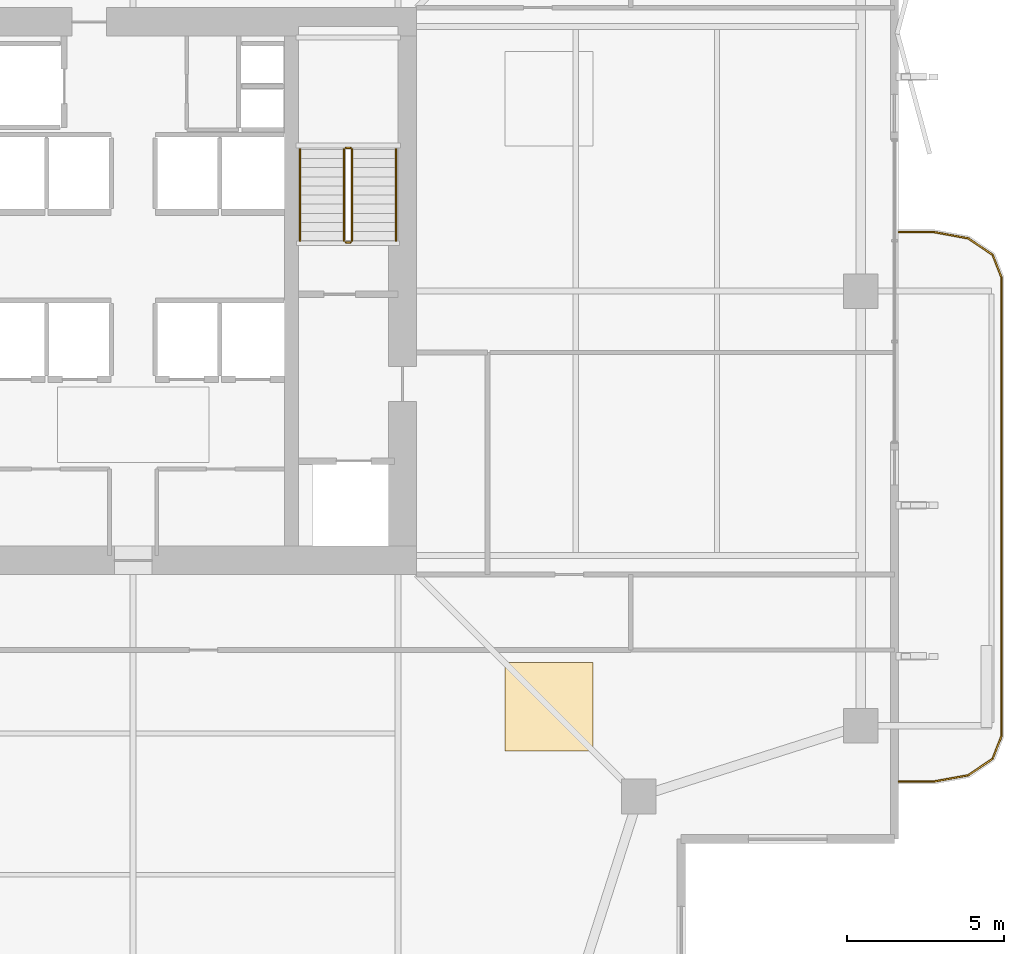
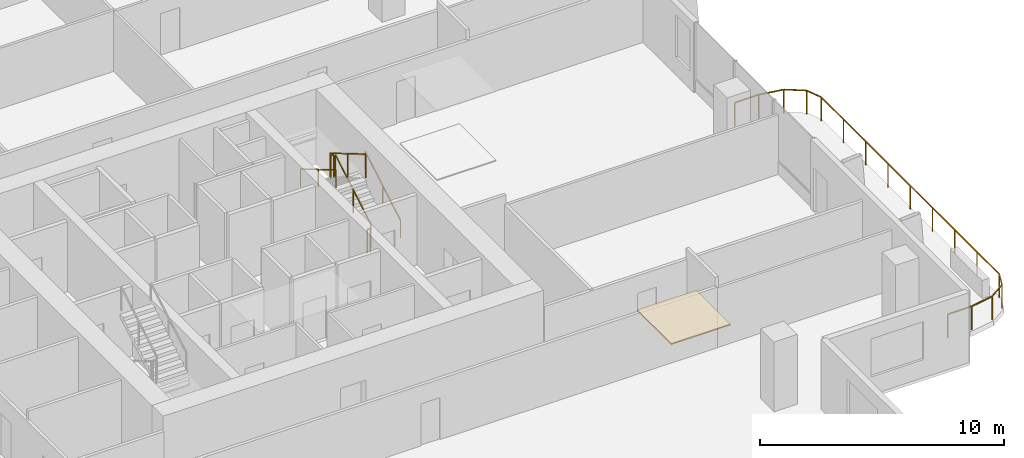
# One storey, part 24 of 25: 7 railings, 1 covering.
"""IFC4 building model written with IfcOpenShell, lengths in metres."""

from ifc_helpers import new_model, si_unit, direction, frame, origin, origin_2d, place, context, subcontext, project, spatial, polyline, rectangle, outline, extrude, material, layer, layer_set, type_object, element, save


model = new_model("IFC4")

# Units and contexts
model_context = context("Model", 3, precision=1e-05, world=origin(), true_north=direction((0.0, 1.0)))
body_context = subcontext(model_context, "Body", "Model", "MODEL_VIEW")
ifc_project = project(units=[si_unit("LENGTHUNIT", "METRE"), si_unit("AREAUNIT", "SQUARE_METRE"), si_unit("VOLUMEUNIT", "CUBIC_METRE"), si_unit("PLANEANGLEUNIT", "RADIAN"), si_unit("MASSUNIT", "GRAM", prefix="KILO")], contexts=[model_context])

# Site, building, storey
site_placement = place(None, origin())
site = spatial("IfcSite", under=ifc_project, at=site_placement, CompositionType="ELEMENT")
building_placement = place(site_placement, origin())
building = spatial("IfcBuilding", under=site, at=building_placement, Name="Belovzor Exchange Tower", CompositionType="ELEMENT")
storey_placement = place(building_placement, frame((0.0, 0.0, 183.300048828125)))
storey = spatial("IfcBuildingStorey", under=building, at=storey_placement, Name="L45", CompositionType="ELEMENT", Elevation=183.300048828125)

# Railings
ifc_material_1 = material(Name="Stainless Steel Grade 304", Category="steel")
railing_type_1 = type_object("IfcRailingType", Name="Brushed Stainless Steel Stair Handrail 900", PredefinedType="HANDRAIL", material=ifc_material_1)
railing_1_placement = place(storey_placement, frame((37.14990234375, 30.39990234375, 0.17041015625)))
element("IfcRailing", 1, at=railing_1_placement, inside=storey, type_object=railing_type_1, Name="L45 ST-2 stair handrail 1", PredefinedType="HANDRAIL", context=body_context, shape_type="SweptSolid", body=[
    extrude(rectangle(XDim=0.048095703125, YDim=0.048095703125, at=origin_2d()), frame((0.0, 0.0, 0.8759765625), z_axis=(0.0, 0.862113265706, 0.506715617574), x_axis=(-1.0, 0.0, 0.0)), (0.0, 0.0, 1.0), 3.364013671875),
    extrude(rectangle(XDim=0.0419921875, YDim=0.0419921875, at=origin_2d()), origin(), (0.0, 0.0, 1.0), 0.851806640625),
    extrude(rectangle(XDim=0.0419921875, YDim=0.0419921875, at=origin_2d()), frame((0.0, 1.4501953125, 0.852294921875)), (0.0, 0.0, 1.0), 0.851806640625),
    extrude(rectangle(XDim=0.0419921875, YDim=0.0419921875, at=origin_2d()), frame((0.0, 2.900146484375, 1.70458984375)), (0.0, 0.0, 1.0), 0.851806640625),
])
railing_2_placement = place(storey_placement, frame((34.10009765625, 33.300048828125, 2.04541015625)))
element("IfcRailing", 2, at=railing_2_placement, inside=storey, type_object=railing_type_1, Name="L45 ST-2 stair handrail 2", PredefinedType="HANDRAIL", context=body_context, shape_type="SweptSolid", body=[
    extrude(rectangle(XDim=0.048095703125, YDim=0.048095703125, at=origin_2d()), frame((0.0, 0.0, 0.8759765625), z_axis=(0.0, -0.862113265706, 0.506715617574), x_axis=(1.0, 0.0, 0.0)), (0.0, 0.0, 1.0), 3.364013671875),
    extrude(rectangle(XDim=0.0419921875, YDim=0.0419921875, at=origin_2d()), origin(), (0.0, 0.0, 1.0), 0.851806640625),
    extrude(rectangle(XDim=0.0419921875, YDim=0.0419921875, at=origin_2d()), frame((0.0, -1.4501953125, 0.852294921875)), (0.0, 0.0, 1.0), 0.851806640625),
    extrude(rectangle(XDim=0.0419921875, YDim=0.0419921875, at=origin_2d()), frame((0.0, -2.900146484375, 1.70458984375)), (0.0, 0.0, 1.0), 0.851806640625),
])
ifc_material_2 = material(Name="Stainless Steel and Laminated Safety Glass", Category="steel")
railing_type_2 = type_object("IfcRailingType", Name="Laminated Glass & Stainless Steel Balcony Balustrade 1200", PredefinedType="BALUSTRADE", material=ifc_material_2)
railing_3_placement = place(storey_placement, frame((53.110107421875, 13.22998046875, 0.0)))
element("IfcRailing", 3, at=railing_3_placement, inside=storey, type_object=railing_type_2, Name="GR-1 Balcony Balustrade L45 East", PredefinedType="BALUSTRADE", context=body_context, shape_type="SweptSolid", body=[
    extrude(rectangle(XDim=0.048095703125, YDim=0.048095703125, at=origin_2d()), frame((0.0, 0.0, 1.17578125), z_axis=(1.0, 0.0, 0.0), x_axis=(0.0, 1.0, 0.0)), (0.0, 0.0, 1.0), 1.1328125),
    extrude(rectangle(XDim=0.048095703125, YDim=0.048095703125, at=origin_2d()), frame((1.1328125, 0.0, 1.17578125), z_axis=(0.983651385113, 0.180083182347, 0.0), x_axis=(-0.180083182347, 0.983651385113, 0.0)), (0.0, 0.0, 1.0), 1.093994140625),
    extrude(rectangle(XDim=0.048095703125, YDim=0.048095703125, at=origin_2d()), frame((2.208984375, 0.197021484375, 1.17578125), z_axis=(0.826614792125, 0.562768145367, 0.0), x_axis=(-0.562768145367, 0.826614792125, 0.0)), (0.0, 0.0, 1.0), 0.9326171875),
    extrude(rectangle(XDim=0.048095703125, YDim=0.048095703125, at=origin_2d()), frame((2.97998046875, 0.721923828125, 1.17578125), z_axis=(0.365504480807, 0.930809580156, 0.0), x_axis=(-0.930809580156, 0.365504480807, 0.0)), (0.0, 0.0, 1.0), 0.76611328125),
    extrude(rectangle(XDim=0.048095703125, YDim=0.048095703125, at=origin_2d()), frame((3.260009765625, 1.43505859375, 1.17578125), z_axis=(0.0, 1.0, 0.0), x_axis=(-1.0, 0.0, 0.0)), (0.0, 0.0, 1.0), 14.570068359375),
    extrude(rectangle(XDim=0.048095703125, YDim=0.048095703125, at=origin_2d()), frame((3.260009765625, 16.005126953125, 1.17578125), z_axis=(-0.365612923861, 0.930766990125, 0.0), x_axis=(-0.930766990125, -0.365612923861, 0.0)), (0.0, 0.0, 1.0), 0.765869140625),
    extrude(rectangle(XDim=0.048095703125, YDim=0.048095703125, at=origin_2d()), frame((2.97998046875, 16.718017578125, 1.17578125), z_axis=(-0.826614792125, 0.562768145367, 0.0), x_axis=(-0.562768145367, -0.826614792125, 0.0)), (0.0, 0.0, 1.0), 0.9326171875),
    extrude(rectangle(XDim=0.048095703125, YDim=0.048095703125, at=origin_2d()), frame((2.208984375, 17.242919921875, 1.17578125), z_axis=(-0.983651385113, 0.180083182347, 0.0), x_axis=(-0.180083182347, -0.983651385113, 0.0)), (0.0, 0.0, 1.0), 1.093994140625),
    extrude(rectangle(XDim=0.048095703125, YDim=0.048095703125, at=origin_2d()), frame((1.1328125, 17.43994140625, 1.17578125), z_axis=(-1.0, 0.0, 0.0), x_axis=(0.0, -1.0, 0.0)), (0.0, 0.0, 1.0), 1.1328125),
    extrude(rectangle(XDim=0.0419921875, YDim=0.0419921875, at=origin_2d()), origin(), (0.0, 0.0, 1.0), 1.15185546875),
    extrude(rectangle(XDim=0.0419921875, YDim=0.0419921875, at=origin_2d()), frame((1.1328125, 0.0, 0.0)), (0.0, 0.0, 1.0), 1.15185546875),
    extrude(rectangle(XDim=0.0419921875, YDim=0.0419921875, at=origin_2d()), frame((2.208984375, 0.197021484375, 0.0)), (0.0, 0.0, 1.0), 1.15185546875),
    extrude(rectangle(XDim=0.0419921875, YDim=0.0419921875, at=origin_2d()), frame((2.97998046875, 0.721923828125, 0.0)), (0.0, 0.0, 1.0), 1.15185546875),
    extrude(rectangle(XDim=0.0419921875, YDim=0.0419921875, at=origin_2d()), frame((3.260009765625, 1.43505859375, 0.0)), (0.0, 0.0, 1.0), 1.15185546875),
    extrude(rectangle(XDim=0.0419921875, YDim=0.0419921875, at=origin_2d()), frame((3.260009765625, 3.25634765625, 0.0)), (0.0, 0.0, 1.0), 1.15185546875),
    extrude(rectangle(XDim=0.0419921875, YDim=0.0419921875, at=origin_2d()), frame((3.260009765625, 5.07763671875, 0.0)), (0.0, 0.0, 1.0), 1.15185546875),
    extrude(rectangle(XDim=0.0419921875, YDim=0.0419921875, at=origin_2d()), frame((3.260009765625, 6.89892578125, 0.0)), (0.0, 0.0, 1.0), 1.15185546875),
    extrude(rectangle(XDim=0.0419921875, YDim=0.0419921875, at=origin_2d()), frame((3.260009765625, 8.72021484375, 0.0)), (0.0, 0.0, 1.0), 1.15185546875),
    extrude(rectangle(XDim=0.0419921875, YDim=0.0419921875, at=origin_2d()), frame((3.260009765625, 10.541259765625, 0.0)), (0.0, 0.0, 1.0), 1.15185546875),
    extrude(rectangle(XDim=0.0419921875, YDim=0.0419921875, at=origin_2d()), frame((3.260009765625, 12.362548828125, 0.0)), (0.0, 0.0, 1.0), 1.15185546875),
    extrude(rectangle(XDim=0.0419921875, YDim=0.0419921875, at=origin_2d()), frame((3.260009765625, 14.183837890625, 0.0)), (0.0, 0.0, 1.0), 1.15185546875),
    extrude(rectangle(XDim=0.0419921875, YDim=0.0419921875, at=origin_2d()), frame((3.260009765625, 16.005126953125, 0.0)), (0.0, 0.0, 1.0), 1.15185546875),
    extrude(rectangle(XDim=0.0419921875, YDim=0.0419921875, at=origin_2d()), frame((2.97998046875, 16.718017578125, 0.0)), (0.0, 0.0, 1.0), 1.15185546875),
    extrude(rectangle(XDim=0.0419921875, YDim=0.0419921875, at=origin_2d()), frame((2.208984375, 17.242919921875, 0.0)), (0.0, 0.0, 1.0), 1.15185546875),
    extrude(rectangle(XDim=0.0419921875, YDim=0.0419921875, at=origin_2d()), frame((1.1328125, 17.43994140625, 0.0)), (0.0, 0.0, 1.0), 1.15185546875),
    extrude(rectangle(XDim=0.0419921875, YDim=0.0419921875, at=origin_2d()), frame((0.0, 17.43994140625, 0.0)), (0.0, 0.0, 1.0), 1.15185546875),
])
ifc_material_3 = material(Name="Steel S355", Category="steel")
railing_type_3 = type_object("IfcRailingType", Name="Painted Steel Stairwell Guardrail 1200", PredefinedType="GUARDRAIL", material=ifc_material_3)
railing_4_placement = place(storey_placement, frame((35.75, 30.39990234375, 0.17041015625)))
element("IfcRailing", 4, at=railing_4_placement, inside=storey, type_object=railing_type_3, Name="L45 ST-2 stair guard 1", PredefinedType="GUARDRAIL", context=body_context, shape_type="SweptSolid", body=[
    extrude(rectangle(XDim=0.048095703125, YDim=0.048095703125, at=origin_2d()), frame((0.0, 0.0, 1.17578125), z_axis=(0.0, 0.862113265706, 0.506715617574), x_axis=(-1.0, 0.0, 0.0)), (0.0, 0.0, 1.0), 3.364013671875),
    extrude(rectangle(XDim=0.0419921875, YDim=0.0419921875, at=origin_2d()), origin(), (0.0, 0.0, 1.0), 1.15185546875),
    extrude(rectangle(XDim=0.0419921875, YDim=0.0419921875, at=origin_2d()), frame((0.0, 1.4501953125, 0.852294921875)), (0.0, 0.0, 1.0), 1.15185546875),
    extrude(rectangle(XDim=0.0419921875, YDim=0.0419921875, at=origin_2d()), frame((0.0, 2.900146484375, 1.70458984375)), (0.0, 0.0, 1.0), 1.15185546875),
])
railing_5_placement = place(storey_placement, frame((35.699951171875, 33.35009765625, 1.875)))
element("IfcRailing", 5, at=railing_5_placement, inside=storey, type_object=railing_type_3, Name="L45 ST-2 stair guard 2", PredefinedType="GUARDRAIL", context=body_context, shape_type="SweptSolid", body=[
    extrude(rectangle(XDim=0.048095703125, YDim=0.048095703125, at=origin_2d()), frame((0.0, 0.0, 1.17578125), z_axis=(-1.0, 0.0, 0.0), x_axis=(0.0, -1.0, 0.0)), (0.0, 0.0, 1.0), 0.14990234375),
    extrude(rectangle(XDim=0.0419921875, YDim=0.0419921875, at=origin_2d()), origin(), (0.0, 0.0, 1.0), 1.15185546875),
    extrude(rectangle(XDim=0.0419921875, YDim=0.0419921875, at=origin_2d()), frame((-0.14990234375, 0.0, 0.0)), (0.0, 0.0, 1.0), 1.15185546875),
])
railing_6_placement = place(storey_placement, frame((35.5, 33.300048828125, 2.04541015625)))
element("IfcRailing", 6, at=railing_6_placement, inside=storey, type_object=railing_type_3, Name="L45 ST-2 stair guard 3", PredefinedType="GUARDRAIL", context=body_context, shape_type="SweptSolid", body=[
    extrude(rectangle(XDim=0.048095703125, YDim=0.048095703125, at=origin_2d()), frame((0.0, 0.0, 1.17578125), z_axis=(0.0, -0.862113265706, 0.506715617574), x_axis=(1.0, 0.0, 0.0)), (0.0, 0.0, 1.0), 3.364013671875),
    extrude(rectangle(XDim=0.0419921875, YDim=0.0419921875, at=origin_2d()), origin(), (0.0, 0.0, 1.0), 1.15185546875),
    extrude(rectangle(XDim=0.0419921875, YDim=0.0419921875, at=origin_2d()), frame((0.0, -1.4501953125, 0.852294921875)), (0.0, 0.0, 1.0), 1.15185546875),
    extrude(rectangle(XDim=0.0419921875, YDim=0.0419921875, at=origin_2d()), frame((0.0, -2.900146484375, 1.70458984375)), (0.0, 0.0, 1.0), 1.15185546875),
])
railing_7_placement = place(storey_placement, frame((35.699951171875, 30.35009765625, 0.0)))
element("IfcRailing", 7, at=railing_7_placement, inside=storey, type_object=railing_type_3, Name="L45 ST-2 stair guard 4", PredefinedType="GUARDRAIL", context=body_context, shape_type="SweptSolid", body=[
    extrude(rectangle(XDim=0.048095703125, YDim=0.048095703125, at=origin_2d()), frame((0.0, 0.0, 1.17578125), z_axis=(-1.0, 0.0, 0.0), x_axis=(0.0, -1.0, 0.0)), (0.0, 0.0, 1.0), 0.14990234375),
    extrude(rectangle(XDim=0.0419921875, YDim=0.0419921875, at=origin_2d()), origin(), (0.0, 0.0, 1.0), 1.15185546875),
    extrude(rectangle(XDim=0.0419921875, YDim=0.0419921875, at=origin_2d()), frame((-0.14990234375, 0.0, 0.0)), (0.0, 0.0, 1.0), 1.15185546875),
])

# Covering
ifc_material_4 = material(Name="Perforated Powder-Coated Aluminium", Category="aluminium")
ifc_layer = layer(ifc_material_4, 0.06005859375)
ifc_layer_set = layer_set([ifc_layer], Name="Perforated Powder-Coated Aluminium")
covering_type = type_object("IfcCoveringType", Name="Perforated Acoustic Metal Tile Suspended Ceiling 60", PredefinedType="CEILING", material=ifc_layer_set)
covering_placement = place(storey_placement, frame((0.0, 0.0, 3.43505859375)))
element("IfcCovering", 8, at=covering_placement, inside=storey, type_object=covering_type, Name="CLG-AC60 Suspended Ceiling CLG-L45-Z1", PredefinedType="CEILING", context=body_context, shape_type="SweptSolid", body=[
    extrude(outline(polyline([(40.60009765625, 14.199951171875), (43.39990234375, 14.199951171875), (43.39990234375, 17.0), (40.60009765625, 17.0), (40.60009765625, 14.199951171875)])), origin(), (0.0, 0.0, 1.0), 0.059814453125),
])

save(model, "model.ifc")
